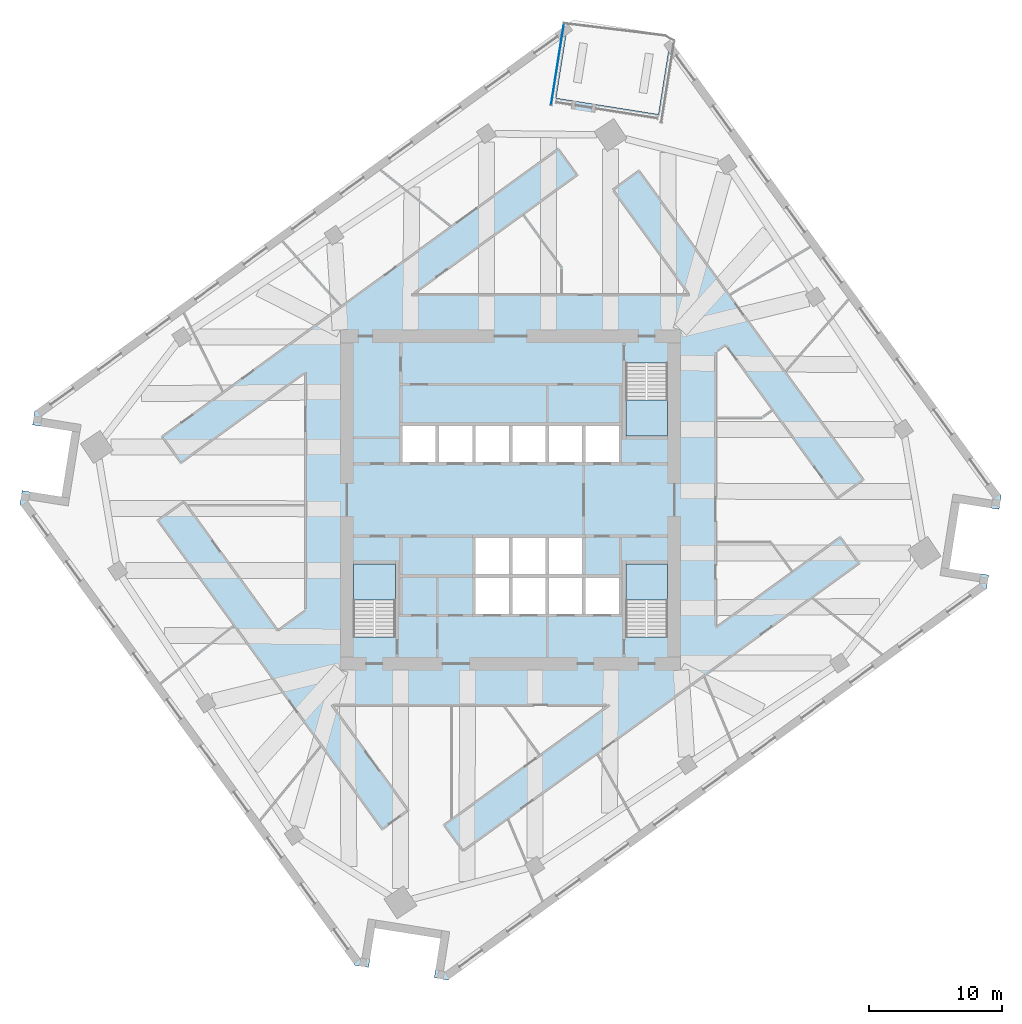
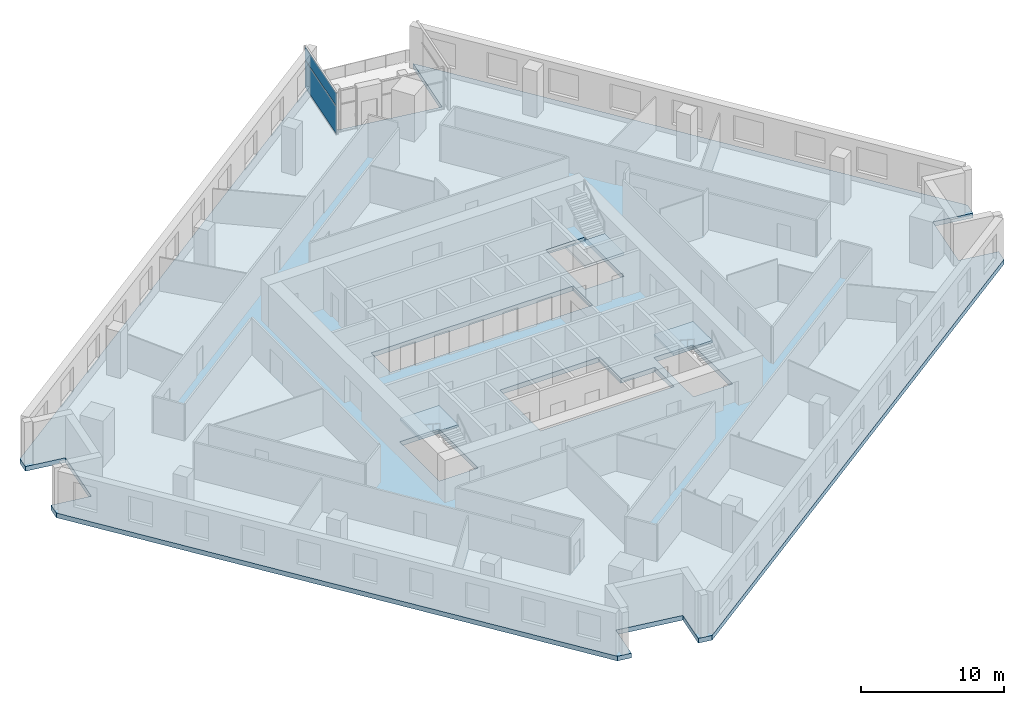
# One storey, part 3 of 11: 4 slabs, 2 plates, 4 elements without a shape of their own.
"""IFC4 building model written with IfcOpenShell, lengths in metres."""

from ifc_helpers import new_model, si_unit, direction, frame, origin, origin_2d, place, context, subcontext, project, spatial, polyline, rectangle, outline, extrude, material, layer, layer_set, type_object, element, aggregate, save


model = new_model("IFC4")

# Units and contexts
model_context = context("Model", 3, precision=1e-05, world=origin(), true_north=direction((0.0, 1.0)))
body_context = subcontext(model_context, "Body", "Model", "MODEL_VIEW")
ifc_project = project(units=[si_unit("LENGTHUNIT", "METRE"), si_unit("AREAUNIT", "SQUARE_METRE"), si_unit("VOLUMEUNIT", "CUBIC_METRE"), si_unit("PLANEANGLEUNIT", "RADIAN"), si_unit("MASSUNIT", "GRAM", prefix="KILO")], contexts=[model_context])

# Site, building, storey
site_placement = place(None, origin())
site = spatial("IfcSite", under=ifc_project, at=site_placement, CompositionType="ELEMENT")
building_placement = place(site_placement, origin())
building = spatial("IfcBuilding", under=site, at=building_placement, Name="Dilmun Exchange Tower", CompositionType="ELEMENT")
storey_placement = place(building_placement, frame((0.0, 0.0, 163.699951171875)))
storey = spatial("IfcBuildingStorey", under=building, at=storey_placement, Name="L38", CompositionType="ELEMENT", Elevation=163.699951171875)

# Stair, slab
ifc_material_1 = material(Name="Concrete C40/50", Category="concrete")
stair_type = type_object("IfcStairType", Name="Exit stair 1500 half-turn", PredefinedType="HALF_TURN_STAIR", material=ifc_material_1)
stair_1_placement = place(storey_placement, origin())
stair_1 = element("IfcStair", 1, at=stair_1_placement, inside=storey, type_object=stair_type, Name="L38 Protected exit stair ST1", PredefinedType="HALF_TURN_STAIR")
ifc_layer_1 = layer(ifc_material_1, 0.199951171875)
ifc_layer_set_1 = layer_set([ifc_layer_1], Name="Concrete C40/50")
slab_type_1 = type_object("IfcSlabType", Name="Exit stair landing 200", PredefinedType="LANDING", material=ifc_layer_set_1)
slab_1_placement = place(storey_placement, frame((0.0, 0.0, 1.800048828125)))
slab_1 = element("IfcSlab", 2, at=slab_1_placement, type_object=slab_type_1, Name="ST1 landing 1", PredefinedType="LANDING", context=body_context, shape_type="SweptSolid", body=[
    extrude(outline(polyline([(8.64990234375, 7.5), (8.64990234375, 4.800048828125), (11.800048828125, 4.800048828125), (11.800048828125, 7.5), (8.64990234375, 7.5)])), origin(), (0.0, 0.0, 1.0), 0.199951171875),
])
aggregate(stair_1, [slab_1])

stair_2_placement = place(storey_placement, origin())
stair_2 = element("IfcStair", 3, at=stair_2_placement, inside=storey, type_object=stair_type, Name="L38 Protected exit stair ST2", PredefinedType="HALF_TURN_STAIR")
slab_2_placement = place(storey_placement, frame((0.0, 0.0, 1.800048828125)))
slab_2 = element("IfcSlab", 4, at=slab_2_placement, type_object=slab_type_1, Name="ST2 landing 1", PredefinedType="LANDING", context=body_context, shape_type="SweptSolid", body=[
    extrude(outline(polyline([(-8.64990234375, -7.5), (-8.64990234375, -4.800048828125), (-11.800048828125, -4.800048828125), (-11.800048828125, -7.5), (-8.64990234375, -7.5)])), origin(), (0.0, 0.0, 1.0), 0.199951171875),
])
aggregate(stair_2, [slab_2])

stair_3_placement = place(storey_placement, origin())
stair_3 = element("IfcStair", 5, at=stair_3_placement, inside=storey, type_object=stair_type, Name="L38 Protected exit stair ST3", PredefinedType="HALF_TURN_STAIR")
slab_3_placement = place(storey_placement, frame((0.0, 0.0, 1.800048828125)))
slab_3 = element("IfcSlab", 6, at=slab_3_placement, type_object=slab_type_1, Name="ST3 landing 1", PredefinedType="LANDING", context=body_context, shape_type="SweptSolid", body=[
    extrude(outline(polyline([(11.800048828125, -7.5), (11.800048828125, -4.800048828125), (8.64990234375, -4.800048828125), (8.64990234375, -7.5), (11.800048828125, -7.5)])), origin(), (0.0, 0.0, 1.0), 0.199951171875),
])
aggregate(stair_3, [slab_3])

# Curtain wall, plates
ifc_material_2 = material(Name="Anodised aluminium and clear glass", Category="aluminium")
curtain_wall_type = type_object("IfcCurtainWallType", Name="Garden corner glazing", PredefinedType="NOTDEFINED", material=ifc_material_2)
curtain_wall_placement = place(storey_placement, origin())
curtain_wall = element("IfcCurtainWall", 7, at=curtain_wall_placement, inside=storey, type_object=curtain_wall_type, Name="Garden corner glazing run GC3.1", PredefinedType="NOTDEFINED")
ifc_material_3 = material(Name="Clear glass", Category="glass")
ifc_layer_2 = layer(ifc_material_3, 0.028076171875)
ifc_layer_set_2 = layer_set([ifc_layer_2], Name="Clear glass")
plate_type = type_object("IfcPlateType", Name="Garden corner glazing glass panel 28", PredefinedType="CURTAIN_PANEL", material=ifc_layer_set_2)
plate_1_placement = place(storey_placement, frame((3.5185546875, 32.720947265625, 0.06005859375), z_axis=(0.0, 0.0, 1.0), x_axis=(0.156441835751, 0.987687173161, 0.0)))
plate_1 = element("IfcPlate", 8, at=plate_1_placement, type_object=plate_type, Name="GC3.1 panel 1.1", PredefinedType="CURTAIN_PANEL", context=body_context, shape_type="SweptSolid", body=[
    extrude(rectangle(XDim=6.12646484375, YDim=0.028076171875, at=origin_2d()), origin(), (0.0, 0.0, 1.0), 2.31005859375),
])
plate_2_placement = place(storey_placement, frame((3.5185546875, 32.720947265625, 2.43017578125), z_axis=(0.0, 0.0, 1.0), x_axis=(0.156441835751, 0.987687173161, 0.0)))
plate_2 = element("IfcPlate", 9, at=plate_2_placement, type_object=plate_type, Name="GC3.1 panel 1.2", PredefinedType="CURTAIN_PANEL", context=body_context, shape_type="SweptSolid", body=[
    extrude(rectangle(XDim=6.12646484375, YDim=0.028076171875, at=origin_2d()), origin(), (0.0, 0.0, 1.0), 1.110107421875),
])
aggregate(curtain_wall, [plate_1, plate_2])

# Slab
ifc_layer_3 = layer(ifc_material_1, 0.39990234375)
ifc_layer_set_3 = layer_set([ifc_layer_3], Name="Concrete C40/50")
slab_type_2 = type_object("IfcSlabType", Name="RC floor slab 400", PredefinedType="FLOOR", material=ifc_layer_set_3)
slab_4_placement = place(storey_placement, frame((0.0, 0.0, -0.39990234375)))
element("IfcSlab", 10, at=slab_4_placement, inside=storey, type_object=slab_type_2, Name="Floor slab", PredefinedType="FLOOR", context=body_context, shape_type="SweptSolid", body=[
    extrude(outline(polyline([(36.68701171875, -0.7021484375), (33.72412109375, -0.23291015625), (32.94189453125, -5.17138671875), (35.90478515625, -5.640625), (35.742919921875, -6.663330078125), (-4.7080078125, -36.052734375), (-5.730712890625, -35.890625), (-5.261474609375, -32.927490234375), (-10.19970703125, -32.1455078125), (-10.669189453125, -35.1083984375), (-11.69189453125, -34.946533203125), (-36.84912109375, -0.320556640625), (-36.68701171875, 0.7021484375), (-33.72412109375, 0.23291015625), (-32.94189453125, 5.17138671875), (-35.90478515625, 5.640625), (-35.742919921875, 6.663330078125), (4.303466796875, 35.7587890625), (3.420166015625, 30.181884765625), (11.1025390625, 28.965087890625), (11.98583984375, 34.5419921875), (36.84912109375, 0.320556640625), (36.68701171875, -0.7021484375)]), holes=[polyline([(-8.64990234375, -4.800048828125), (-11.800048828125, -4.800048828125), (-11.800048828125, -10.294921875), (-8.64990234375, -10.294921875), (-8.64990234375, -4.800048828125)]), polyline([(11.800048828125, -4.800048828125), (8.64990234375, -4.800048828125), (8.64990234375, -10.294921875), (11.800048828125, -10.294921875), (11.800048828125, -4.800048828125)]), polyline([(5.375, -2.85009765625), (-2.625, -2.85009765625), (-2.625, -8.550048828125), (8.125, -8.550048828125), (8.125, -5.85009765625), (5.375, -5.85009765625), (5.375, -2.85009765625)]), polyline([(8.125, 2.85009765625), (8.125, 5.550048828125), (-8.125, 5.550048828125), (-8.125, 2.85009765625), (8.125, 2.85009765625)]), polyline([(8.64990234375, 10.294921875), (8.64990234375, 4.800048828125), (11.800048828125, 4.800048828125), (11.800048828125, 10.294921875), (8.64990234375, 10.294921875)])]), origin(), (0.0, 0.0, 1.0), 0.39990234375),
])

save(model, "model.ifc")
